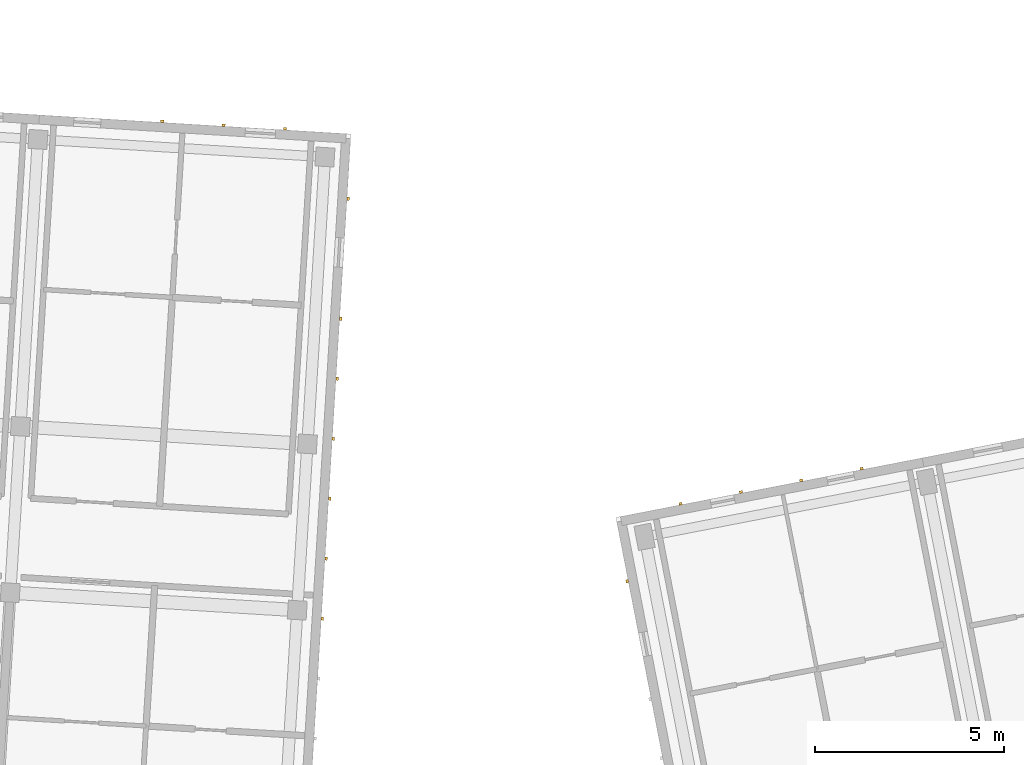
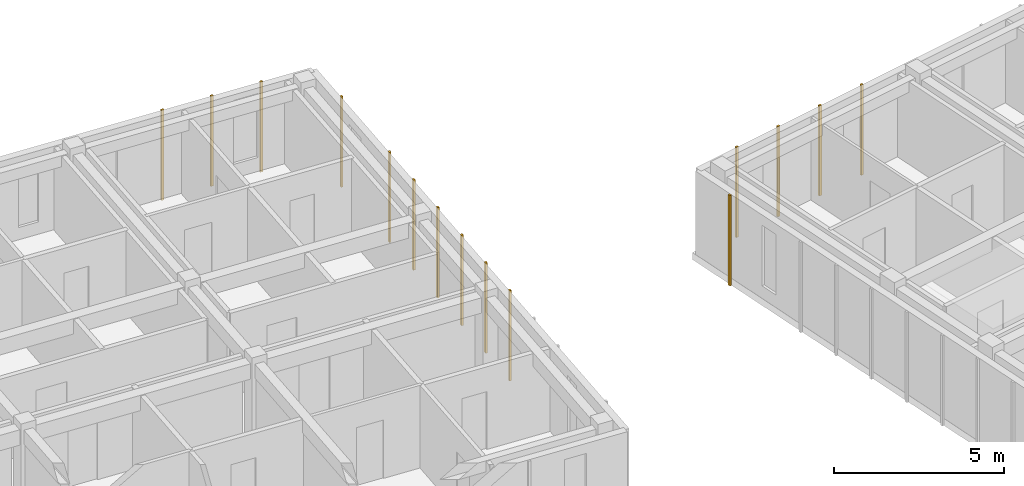
# One storey, part 56 of 68: 15 coverings.
"""IFC4 building model written with IfcOpenShell, lengths in metres."""

import ifcopenshell
import ifcopenshell.guid

model = None  # the IFC model being written
_history = None  # IfcOwnerHistory: only IFC2X3 demands one
_inside = {}  # id of a spatial element -> (the spatial element, [elements in it])
_under = {}  # id of a project, library or spatial element -> (it, [spatial elements below it])
_declared = {}  # id of a project -> (the project, [libraries it declares])
_typed = {}  # id of a type object -> (the type object, [elements of that type])
_made_of = {}  # id of a material, layer set ... -> (it, [elements and type objects made of it])


def new_model(schema):
    """Start an empty IFC model of exactly this schema.

    Asked for "IFC4X3", IfcOpenShell would pick the latest addendum, in which some entities
    have other attributes; the version numbers below select the first issue.
    IFC2X3 requires an IfcOwnerHistory on every rooted entity: one is made here for all.
    """
    global model, _history
    if schema == "IFC4X3":
        model = ifcopenshell.file(schema_version=(4, 3, 0, 0))
    else:
        model = ifcopenshell.file(schema=schema)
    _inside.clear()
    _under.clear()
    _declared.clear()
    _typed.clear()
    _made_of.clear()
    _history = None
    if model.schema == "IFC2X3":
        org = make("IfcOrganization", Name="unknown")
        user = make(
            "IfcPersonAndOrganization",
            ThePerson=make("IfcPerson", FamilyName="unknown"),
            TheOrganization=org,
        )
        app = make(
            "IfcApplication",
            ApplicationDeveloper=org,
            Version="unknown",
            ApplicationFullName="unknown",
            ApplicationIdentifier="unknown",
        )
        _history = make(
            "IfcOwnerHistory",
            OwningUser=user,
            OwningApplication=app,
            ChangeAction="ADDED",
            CreationDate=0,
        )
    return model


def make(cls, **values):
    """One entity of the class cls with the attributes given. An attribute that is None is left unset."""
    return model.create_entity(
        cls, **{name: value for name, value in values.items() if value is not None}
    )


def rooted(cls, **values):
    """An entity with a GlobalId (a new one), such as an element, a storey or a relation."""
    return make(cls, GlobalId=ifcopenshell.guid.new(), OwnerHistory=_history, **values)


def si_unit(unit_type, name, prefix=None):
    """IfcSIUnit, for example si_unit("LENGTHUNIT", "METRE", prefix="MILLI")."""
    return make("IfcSIUnit", UnitType=unit_type, Prefix=prefix, Name=name)


def assignment(units):
    """IfcUnitAssignment: the units of a project."""
    return None if units is None else make("IfcUnitAssignment", Units=units)


def point(xyz):
    """IfcCartesianPoint."""
    return None if xyz is None else make("IfcCartesianPoint", Coordinates=xyz)


def direction(xyz):
    """IfcDirection."""
    return None if xyz is None else make("IfcDirection", DirectionRatios=xyz)


def frame(location, z_axis=None, x_axis=None):
    """IfcAxis2Placement3D, a coordinate frame: its origin and axes. An axis left out is left unset."""
    return make(
        "IfcAxis2Placement3D",
        Location=point(location),
        Axis=direction(z_axis),
        RefDirection=direction(x_axis),
    )


def frame_2d(location, x_axis=None):
    """IfcAxis2Placement2D, a coordinate frame in the plane: its origin and x axis."""
    return make(
        "IfcAxis2Placement2D", Location=point(location), RefDirection=direction(x_axis)
    )


def origin():
    """The frame at (0, 0, 0) with its axes left unset."""
    return frame((0.0, 0.0, 0.0))


def origin_2d():
    """The frame at (0, 0) in the plane with its x axis left unset."""
    return frame_2d((0.0, 0.0))


def place(relative_to, where):
    """IfcLocalPlacement: puts the frame where relative to a parent placement (None: the world)."""
    return make(
        "IfcLocalPlacement", PlacementRelTo=relative_to, RelativePlacement=where
    )


def context(
    kind, dimensions, precision=None, world=None, true_north=None, identifier=None
):
    """IfcGeometricRepresentationContext, for example the 3D "Model" context."""
    return make(
        "IfcGeometricRepresentationContext",
        ContextIdentifier=identifier,
        ContextType=kind,
        CoordinateSpaceDimension=dimensions,
        Precision=precision,
        WorldCoordinateSystem=world,
        TrueNorth=true_north,
    )


def subcontext(parent, identifier, kind, view, scale=None):
    """IfcGeometricRepresentationSubContext, for example "Body" below "Model"."""
    return make(
        "IfcGeometricRepresentationSubContext",
        ContextIdentifier=identifier,
        ContextType=kind,
        ParentContext=parent,
        TargetScale=scale,
        TargetView=view,
    )


def project(units=None, contexts=None):
    """IfcProject with its units and contexts."""
    return rooted(
        "IfcProject",
        Name="project",
        RepresentationContexts=contexts,
        UnitsInContext=assignment(units),
    )


def spatial(cls, under=None, at=None, **own):
    """A site, building, storey or space (cls), placed at a placement, below another one or the project."""
    s = rooted(cls, ObjectPlacement=at, **own)
    if under is not None:
        _under.setdefault(under.id(), (under, []))[1].append(s)
    return s


def profile(cls, at=None, kind="AREA", **sizes):
    """A parametric profile (cls). Its sizes go by their IFC names, for example OverallWidth=200.0."""
    return make(cls, ProfileType=kind, Position=at, **sizes)


def rectangle(**sizes):
    """IfcRectangleProfileDef."""
    return profile("IfcRectangleProfileDef", **sizes)


def extrude(swept, where, along, depth):
    """IfcExtrudedAreaSolid: the profile swept, set in the frame where, extruded along a direction by depth."""
    return make(
        "IfcExtrudedAreaSolid",
        SweptArea=swept,
        Position=where,
        ExtrudedDirection=direction(along),
        Depth=depth,
    )


def shape(context_of_items, identifier, shape_type, items):
    """IfcShapeRepresentation: the items that make up one representation, for example the "Body"."""
    return make(
        "IfcShapeRepresentation",
        ContextOfItems=context_of_items,
        RepresentationIdentifier=identifier,
        RepresentationType=shape_type,
        Items=items,
    )


def material(Name=None, Category=None):
    """IfcMaterial."""
    return make("IfcMaterial", Name=Name, Category=Category)


def layer(
    of_material, thickness, ventilated=None, Name=None, Category=None, Priority=None
):
    """IfcMaterialLayer: one layer of a wall or slab, of a material (None: an air gap)."""
    return make(
        "IfcMaterialLayer",
        Material=of_material,
        LayerThickness=thickness,
        IsVentilated=ventilated,
        Name=Name,
        Category=Category,
        Priority=Priority,
    )


def layer_set(layers, Name=None):
    """IfcMaterialLayerSet."""
    return make("IfcMaterialLayerSet", MaterialLayers=layers, LayerSetName=Name)


def made_of(thing, what):
    """Note that an element or type object is made of a material, layer set ...; save() writes the relation."""
    if what is not None:
        _made_of.setdefault(what.id(), (what, []))[1].append(thing)
    return thing


def type_object(cls, material=None, **own):
    """A type object (cls), such as IfcWallType, which elements share."""
    return made_of(rooted(cls, **own), material)


def element(
    cls,
    number,
    at=None,
    inside=None,
    cuts=None,
    type_object=None,
    material=None,
    context=None,
    identifier="Body",
    shape_type=None,
    held_by="IfcProductDefinitionShape",
    body=None,
    shapes=None,
    **own,
):
    """One element of the class cls, such as IfcWall. Its Tag is "e" and its number.

    at: its placement. inside: the storey or other place that contains it. cuts: it is an
    opening in that element (IfcRelVoidsElement). A single representation is given by context,
    identifier, shape_type and body (its items); several are given by shapes. held_by: the class
    of the entity that holds the representations. save() writes the other relations.
    """
    e = rooted(cls, Tag="e%d" % number, ObjectPlacement=at, **own)
    if body is not None:
        shapes = [shape(context, identifier, shape_type, body)]
    if shapes is not None:
        e.Representation = make(held_by, Representations=shapes)
    if inside is not None:
        _inside.setdefault(inside.id(), (inside, []))[1].append(e)
    if cuts is not None:
        rooted(
            "IfcRelVoidsElement", RelatingBuildingElement=cuts, RelatedOpeningElement=e
        )
    if type_object is not None:
        _typed.setdefault(type_object.id(), (type_object, []))[1].append(e)
    return made_of(e, material)


def aggregate(whole, parts):
    """IfcRelAggregates: a whole, such as a stair, and the parts it consists of."""
    return rooted("IfcRelAggregates", RelatingObject=whole, RelatedObjects=parts)


def save(model, path):
    """Write the relations noted so far, then the file.

    IfcRelAggregates (storeys below a building ...), IfcRelContainedInSpatialStructure (elements
    in a storey), IfcRelDefinesByType, IfcRelAssociatesMaterial and IfcRelDeclares: one each for
    every whole, place, type object, material and project.
    """
    for whole, parts in _under.values():
        aggregate(whole, parts)
    for where, things in _inside.values():
        rooted(
            "IfcRelContainedInSpatialStructure",
            RelatedElements=things,
            RelatingStructure=where,
        )
    for kind, things in _typed.values():
        rooted("IfcRelDefinesByType", RelatedObjects=things, RelatingType=kind)
    for what, things in _made_of.values():
        rooted("IfcRelAssociatesMaterial", RelatedObjects=things, RelatingMaterial=what)
    for by, libraries in _declared.values():
        rooted("IfcRelDeclares", RelatingContext=by, RelatedDefinitions=libraries)
    model.write(path)


model = new_model("IFC4")

# Units and contexts
model_context = context("Model", 3, precision=1e-05, world=origin(), true_north=direction((0.0, 1.0)))
body_context = subcontext(model_context, "Body", "Model", "MODEL_VIEW")
ifc_project = project(units=[si_unit("LENGTHUNIT", "METRE"), si_unit("AREAUNIT", "SQUARE_METRE"), si_unit("VOLUMEUNIT", "CUBIC_METRE"), si_unit("PLANEANGLEUNIT", "RADIAN"), si_unit("MASSUNIT", "GRAM", prefix="KILO")], contexts=[model_context])

# Site, building, storey
site_placement = place(None, origin())
site = spatial("IfcSite", under=ifc_project, at=site_placement, CompositionType="ELEMENT")
building_placement = place(site_placement, origin())
building = spatial("IfcBuilding", under=site, at=building_placement, Name="Kestramere Prow Commons", CompositionType="ELEMENT")
storey_placement = place(building_placement, frame((0.0, 0.0, 18.14990234375)))
storey = spatial("IfcBuildingStorey", under=building, at=storey_placement, Name="L05", CompositionType="ELEMENT", Elevation=18.14990234375)

# Coverings
ifc_material = material(Name="Weathered Zinc-Titanium Standing-Seam Cladding")
ifc_layer = layer(ifc_material, 0.074951171875)
ifc_layer_set = layer_set([ifc_layer], Name="Weathered Zinc-Titanium Standing-Seam Cladding")
covering_type = type_object("IfcCoveringType", Name="COV-CLAD-SEAM", PredefinedType="CLADDING", material=ifc_layer_set)
for number, where, z_axis, x_axis, name in (
    (1, (101.910888671875, 64.221435546875, -0.25), (0.0, 0.0, 1.0), (0.998134798422, -0.061048539535, 0.0), "EW-C-L05-N-5 Standing-Seam Rib 2"),
    (2, (103.532958984375, 64.122314453125, -0.25), (0.0, 0.0, 1.0), (0.998134798422, -0.061048539535, 0.0), "EW-C-L05-N-5 Standing-Seam Rib 3"),
    (3, (105.155029296875, 64.02294921875, -0.25), (0.0, 0.0, 1.0), (0.998134798422, -0.061048539535, 0.0), "EW-C-L05-N-5 Standing-Seam Rib 4"),
    (4, (106.82275390625, 62.1767578125, -0.25), (0.0, 0.0, 1.0), (-0.061048539535, -0.998134798422, 0.0), "EW-C-L05-EAV Standing-Seam Rib 1"),
    (5, (106.62890625, 59.005859375, -0.25), (0.0, 0.0, 1.0), (-0.061048539535, -0.998134798422, 0.0), "EW-C-L05-EAV Standing-Seam Rib 3"),
    (6, (106.531982421875, 57.42041015625, -0.25), (0.0, 0.0, 1.0), (-0.061048539535, -0.998134798422, 0.0), "EW-C-L05-EAV Standing-Seam Rib 4"),
    (7, (106.434814453125, 55.834716796875, -0.25), (0.0, 0.0, 1.0), (-0.061048539535, -0.998134798422, 0.0), "EW-C-L05-EAV Standing-Seam Rib 5"),
    (8, (106.337890625, 54.249267578125, -0.25), (0.0, 0.0, 1.0), (-0.061048539535, -0.998134798422, 0.0), "EW-C-L05-EAV Standing-Seam Rib 6"),
    (9, (106.240966796875, 52.663818359375, -0.25), (0.0, 0.0, 1.0), (-0.061048539535, -0.998134798422, 0.0), "EW-C-L05-EAV Standing-Seam Rib 7"),
    (10, (106.14404296875, 51.078369140625, -0.25), (0.0, 0.0, 1.0), (-0.061048539535, -0.998134798422, 0.0), "EW-C-L05-EAV Standing-Seam Rib 8"),
    (11, (115.610595703125, 54.11474609375, -0.25), (0.0, 0.0, 1.0), (0.981627183448, 0.190808995377, 0.0), "EW-D-L05-N-0 Standing-Seam Rib 1"),
    (12, (117.205810546875, 54.4248046875, -0.25), (0.0, 0.0, 1.0), (0.981627183448, 0.190808995377, 0.0), "EW-D-L05-N-0 Standing-Seam Rib 2"),
    (13, (118.801025390625, 54.73486328125, -0.25), (0.0, 0.0, 1.0), (0.981627183448, 0.190808995377, 0.0), "EW-D-L05-N-0 Standing-Seam Rib 3"),
    (14, (120.39599609375, 55.044921875, -0.25), (0.0, 0.0, 1.0), (0.981627183448, 0.190808995377, 0.0), "EW-D-L05-N-0 Standing-Seam Rib 4"),
    (15, (114.197998046875, 52.066650390625, -0.25), (0.0, 0.0, 1.0), (-0.190808995377, 0.981627183448, 0.0), "EW-D-L05-EAV Standing-Seam Rib 12"),
):
    element("IfcCovering", number, at=place(storey_placement, frame(where, z_axis=z_axis, x_axis=x_axis)), inside=storey, type_object=covering_type, Name=name, PredefinedType="CLADDING", context=body_context, shape_type="SweptSolid", body=[
        extrude(rectangle(XDim=0.0849609375, YDim=0.06494140625, at=origin_2d()), origin(), (0.0, 0.0, 1.0), 3.25),
    ])

save(model, "model.ifc")
